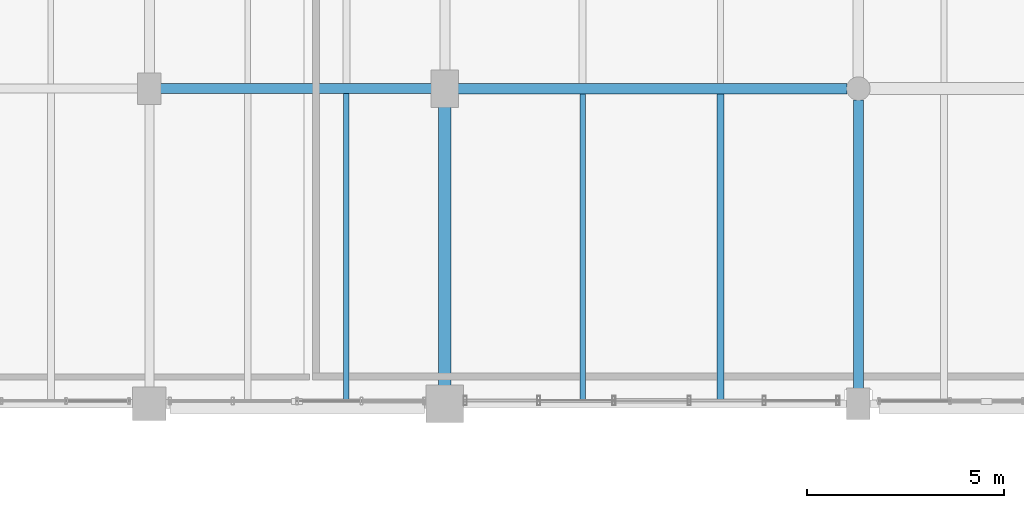
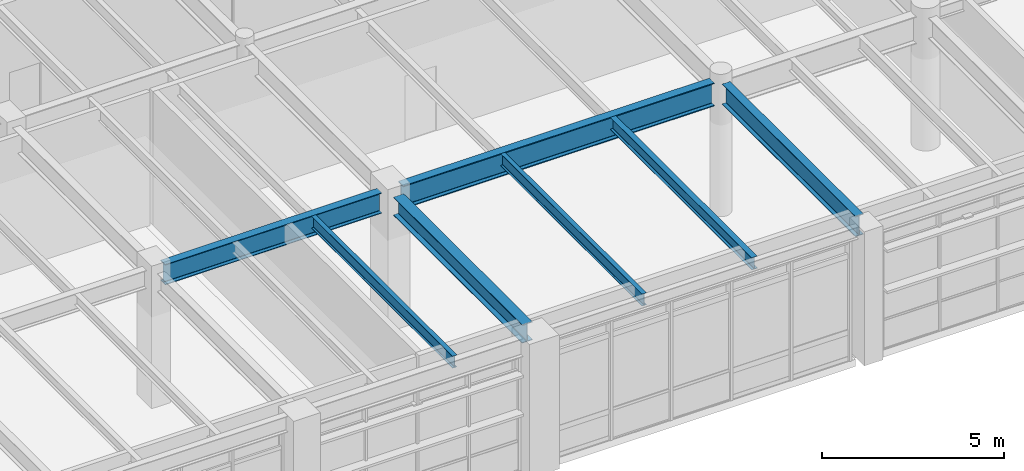
# One storey, part 61 of 200: 7 beams.
"""IFC4 building model written with IfcOpenShell, lengths in metres."""

from ifc_helpers import new_model, si_unit, direction, frame, origin, origin_2d, place, context, subcontext, project, spatial, i_section, extrude, material, material_profile, profile_set, type_object, element, save


model = new_model("IFC4")

# Units and contexts
model_context = context("Model", 3, precision=1e-05, world=origin(), true_north=direction((0.0, 1.0)))
body_context = subcontext(model_context, "Body", "Model", "MODEL_VIEW")
ifc_project = project(units=[si_unit("LENGTHUNIT", "METRE"), si_unit("AREAUNIT", "SQUARE_METRE"), si_unit("VOLUMEUNIT", "CUBIC_METRE"), si_unit("PLANEANGLEUNIT", "RADIAN"), si_unit("MASSUNIT", "GRAM", prefix="KILO"), si_unit("THERMODYNAMICTEMPERATUREUNIT", "KELVIN"), si_unit("POWERUNIT", "WATT")], contexts=[model_context])

# Site, building, storey
site_placement = place(None, origin())
site = spatial("IfcSite", under=ifc_project, at=site_placement, CompositionType="ELEMENT")
building_placement = place(site_placement, origin())
building = spatial("IfcBuilding", under=site, at=building_placement, Name="Tepalcoro Natatorium and Aquatics Centre", CompositionType="ELEMENT")
storey_placement = place(building_placement, frame((0.0, 0.0, 5.39990234375)))
storey = spatial("IfcBuildingStorey", under=building, at=storey_placement, Name="L01", CompositionType="ELEMENT", Elevation=5.39990234375)

# Beams
ifc_material = material(Name="Steel ASTM A992 Grade 50 (Fy 345 MPa)", Category="steel")
ifc_material_profile_1 = material_profile(ifc_material, i_section(OverallWidth=0.324951171875, OverallDepth=0.616943359375, WebThickness=0.013916015625, FlangeThickness=0.02197265625, FilletRadius=0.013916015625, at=origin_2d()), Name="W24X117")
ifc_profile_set_1 = profile_set([ifc_material_profile_1], Name="Steel ASTM A992 Grade 50 (Fy 345 MPa)")
beam_type_1 = type_object("IfcBeamType", Name="BM_W24x117", PredefinedType="BEAM", material=ifc_profile_set_1)
beam_1_placement = place(storey_placement, frame((36.0, 86.4599609375, 4.176513671875), z_axis=(0.0, 1.0, 0.0), x_axis=(-1.0, 0.0, 0.0)))
element("IfcBeam", 1, at=beam_1_placement, inside=storey, type_object=beam_type_1, Name="V4 L01 Grid Girder Y", PredefinedType="BEAM", context=body_context, shape_type="SweptSolid", body=[
    extrude(i_section(OverallWidth=0.324951171875, OverallDepth=0.616943359375, WebThickness=0.013916015625, FlangeThickness=0.02197265625, FilletRadius=0.013916015625, at=origin_2d()), origin(), (0.0, 0.0, 1.0), 7.080078125),
])
ifc_material_profile_2 = material_profile(ifc_material, i_section(OverallWidth=0.25390625, OverallDepth=0.68798828125, WebThickness=0.012939453125, FlangeThickness=0.02099609375, FilletRadius=0.013916015625, at=origin_2d()), Name="W27X102")
ifc_profile_set_2 = profile_set([ifc_material_profile_2], Name="Steel ASTM A992 Grade 50 (Fy 345 MPa)")
beam_type_2 = type_object("IfcBeamType", Name="BM_W27x102", PredefinedType="BEAM", material=ifc_profile_set_2)
beam_2_placement = place(storey_placement, frame((28.784912109375, 94.0, 4.14111328125), z_axis=(1.0, 0.0, 0.0), x_axis=(0.0, 1.0, 0.0)))
element("IfcBeam", 2, at=beam_2_placement, inside=storey, type_object=beam_type_2, Name="V4 L01 Grid Girder X", PredefinedType="BEAM", context=body_context, shape_type="SweptSolid", body=[
    extrude(i_section(OverallWidth=0.25390625, OverallDepth=0.68798828125, WebThickness=0.012939453125, FlangeThickness=0.02099609375, FilletRadius=0.013916015625, at=origin_2d()), origin(), (0.0, 0.0, 1.0), 6.880126953125),
])
beam_3_placement = place(storey_placement, frame((46.5, 86.385009765625, 4.14111328125), z_axis=(0.0, 1.0, 0.0), x_axis=(-1.0, 0.0, 0.0)))
element("IfcBeam", 3, at=beam_3_placement, inside=storey, type_object=beam_type_2, Name="V4 L01 Grid Girder Y", PredefinedType="BEAM", context=body_context, shape_type="SweptSolid", body=[
    extrude(i_section(OverallWidth=0.25390625, OverallDepth=0.68798828125, WebThickness=0.012939453125, FlangeThickness=0.02099609375, FilletRadius=0.013916015625, at=origin_2d()), origin(), (0.0, 0.0, 1.0), 7.330078125),
])
ifc_material_profile_3 = material_profile(ifc_material, i_section(OverallWidth=0.26708984375, OverallDepth=0.780029296875, WebThickness=0.01708984375, FlangeThickness=0.030029296875, FilletRadius=0.013916015625, at=origin_2d()), Name="W30X148")
ifc_profile_set_3 = profile_set([ifc_material_profile_3], Name="Steel ASTM A992 Grade 50 (Fy 345 MPa)")
beam_type_3 = type_object("IfcBeamType", Name="BM_W30x148", PredefinedType="BEAM", material=ifc_profile_set_3)
beam_4_placement = place(storey_placement, frame((36.3349609375, 94.0, 4.09521484375), z_axis=(1.0, 0.0, 0.0), x_axis=(0.0, 1.0, 0.0)))
element("IfcBeam", 4, at=beam_4_placement, inside=storey, type_object=beam_type_3, Name="V4 L01 Grid Girder X", PredefinedType="BEAM", context=body_context, shape_type="SweptSolid", body=[
    extrude(i_section(OverallWidth=0.26708984375, OverallDepth=0.780029296875, WebThickness=0.01708984375, FlangeThickness=0.030029296875, FilletRadius=0.013916015625, at=origin_2d()), origin(), (0.0, 0.0, 1.0), 9.880126953125),
])
ifc_material_profile_4 = material_profile(ifc_material, i_section(OverallWidth=0.139892578125, OverallDepth=0.404052734375, WebThickness=0.007080078125, FlangeThickness=0.010986328125, FilletRadius=0.013916015625, at=origin_2d()), Name="W16X31")
ifc_profile_set_4 = profile_set([ifc_material_profile_4], Name="Steel ASTM A992 Grade 50 (Fy 345 MPa)")
beam_type_4 = type_object("IfcBeamType", Name="JS_W16x31", PredefinedType="JOIST", material=ifc_profile_set_4)
beam_5_placement = place(storey_placement, frame((33.5, 86.114501953125, 4.283203125), z_axis=(0.0, 1.0, 0.0), x_axis=(-1.0, 0.0, 0.0)))
element("IfcBeam", 5, at=beam_5_placement, inside=storey, type_object=beam_type_4, Name="V4 L01 Floor Joist", PredefinedType="JOIST", context=body_context, shape_type="SweptSolid", body=[
    extrude(i_section(OverallWidth=0.139892578125, OverallDepth=0.404052734375, WebThickness=0.007080078125, FlangeThickness=0.010986328125, FilletRadius=0.013916015625, at=origin_2d()), origin(), (0.0, 0.0, 1.0), 7.758544921875),
])
beam_6_placement = place(storey_placement, frame((39.5, 86.090087890625, 4.283203125), z_axis=(0.0, 1.0, 0.0), x_axis=(-1.0, 0.0, 0.0)))
element("IfcBeam", 6, at=beam_6_placement, inside=storey, type_object=beam_type_4, Name="V4 L01 Floor Joist", PredefinedType="JOIST", context=body_context, shape_type="SweptSolid", body=[
    extrude(i_section(OverallWidth=0.139892578125, OverallDepth=0.404052734375, WebThickness=0.007080078125, FlangeThickness=0.010986328125, FilletRadius=0.013916015625, at=origin_2d()), origin(), (0.0, 0.0, 1.0), 7.7763671875),
])
ifc_material_profile_5 = material_profile(ifc_material, i_section(OverallWidth=0.178955078125, OverallDepth=0.409912109375, WebThickness=0.009033203125, FlangeThickness=0.013916015625, FilletRadius=0.013916015625, at=origin_2d()), Name="W16X45")
ifc_profile_set_5 = profile_set([ifc_material_profile_5], Name="Steel ASTM A992 Grade 50 (Fy 345 MPa)")
beam_type_5 = type_object("IfcBeamType", Name="JS_W16x45", PredefinedType="JOIST", material=ifc_profile_set_5)
beam_7_placement = place(storey_placement, frame((43.0, 86.090087890625, 4.280029296875), z_axis=(0.0, 1.0, 0.0), x_axis=(-1.0, 0.0, 0.0)))
element("IfcBeam", 7, at=beam_7_placement, inside=storey, type_object=beam_type_5, Name="V4 L01 Floor Joist", PredefinedType="JOIST", context=body_context, shape_type="SweptSolid", body=[
    extrude(i_section(OverallWidth=0.178955078125, OverallDepth=0.409912109375, WebThickness=0.009033203125, FlangeThickness=0.013916015625, FilletRadius=0.013916015625, at=origin_2d()), origin(), (0.0, 0.0, 1.0), 7.7763671875),
])

save(model, "model.ifc")
